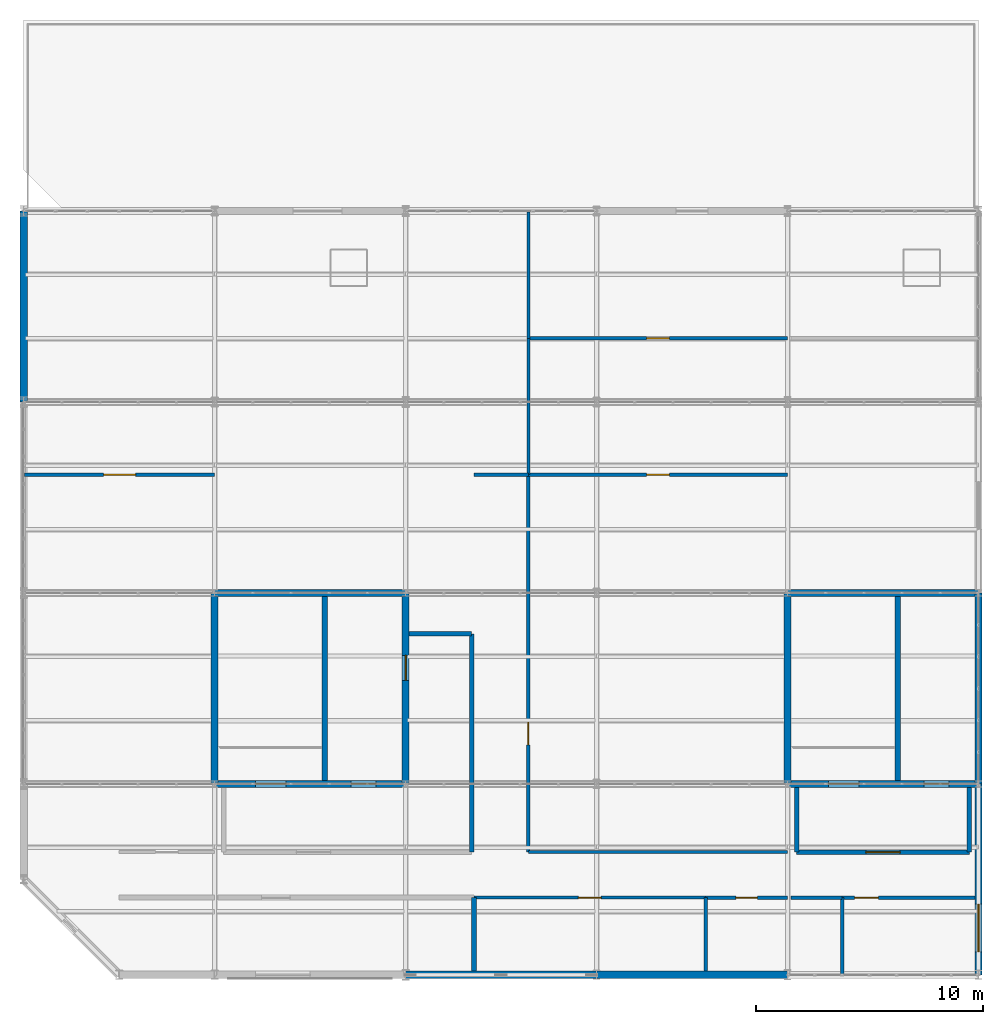
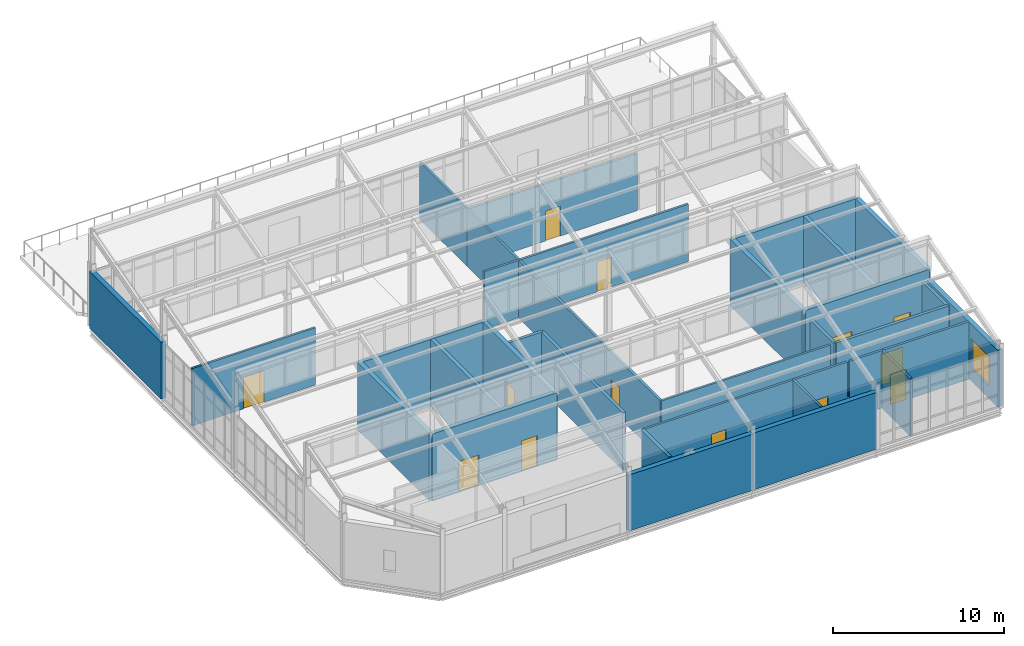
# One storey, part 50 of 53: 34 walls, 13 doors, 1 window, 14 openings.
"""IFC4 building model written with IfcOpenShell, lengths in metres."""

from ifc_helpers import new_model, si_unit, direction, frame, frame_2d, origin, place, context, subcontext, project, spatial, rectangle, extrude, material, layer, layer_set, type_object, element, fill, save


model = new_model("IFC4")

# Units and contexts
model_context = context("Model", 3, precision=1e-05, world=origin(), true_north=direction((0.0, 1.0)))
body_context = subcontext(model_context, "Body", "Model", "MODEL_VIEW")
ifc_project = project(units=[si_unit("LENGTHUNIT", "METRE"), si_unit("AREAUNIT", "SQUARE_METRE"), si_unit("VOLUMEUNIT", "CUBIC_METRE"), si_unit("PLANEANGLEUNIT", "RADIAN"), si_unit("MASSUNIT", "GRAM", prefix="KILO")], contexts=[model_context])

# Site, building, storey
site_placement = place(None, origin())
site = spatial("IfcSite", under=ifc_project, at=site_placement, CompositionType="ELEMENT")
building_placement = place(site_placement, origin())
building = spatial("IfcBuilding", under=site, at=building_placement, Name="Qalvenar Corner Mobility Hub", CompositionType="ELEMENT")
storey_placement = place(building_placement, frame((0.0, 0.0, 26.39990234375)))
storey = spatial("IfcBuildingStorey", under=building, at=storey_placement, Name="L06", CompositionType="ELEMENT", Elevation=26.39990234375)

# Walls
ifc_material_1 = material(Name="Concrete C40/50", Category="concrete")
ifc_layer_1 = layer(ifc_material_1, 0.25)
ifc_layer_set_1 = layer_set([ifc_layer_1], Name="Concrete C40/50")
wall_type_1 = type_object("IfcWallType", Name="WL-CORE250", PredefinedType="SHEAR", material=ifc_layer_set_1)
for number, where, z_axis, x_axis, name in (
    (1, (13.25, 8.550048828125, 0.0), (0.0, 0.0, 1.0), (0.0, 1.0, 0.0), "Core Divider Wall C1-L06"),
    (2, (38.449951171875, 8.550048828125, 0.0), (0.0, 0.0, 1.0), (0.0, 1.0, 0.0), "Core Divider Wall C2-L06"),
):
    element("IfcWall", number, at=place(storey_placement, frame(where, z_axis=z_axis, x_axis=x_axis)), inside=storey, type_object=wall_type_1, Name=name, PredefinedType="SHEAR", context=body_context, shape_type="SweptSolid", body=[
        extrude(rectangle(XDim=8.099853515625, YDim=0.25, at=frame_2d((4.0498046875, 0.0))), origin(), (0.0, 0.0, 1.0), 4.800048828125),
    ])

# Wall, openings, doors
ifc_layer_2 = layer(ifc_material_1, 0.300048828125)
ifc_layer_set_2 = layer_set([ifc_layer_2], Name="Concrete C40/50")
wall_type_2 = type_object("IfcWallType", Name="WL-CORE300", PredefinedType="SHEAR", material=ifc_layer_set_2)
wall_1_placement = place(storey_placement, frame((8.39990234375, 8.39990234375, 0.0), z_axis=(0.0, 0.0, 1.0), x_axis=(1.0, 0.0, 0.0)))
wall_1 = element("IfcWall", 3, at=wall_1_placement, inside=storey, type_object=wall_type_2, Name="Core Shear Wall C1-L06-S", PredefinedType="SHEAR", context=body_context, shape_type="SweptSolid", body=[
    extrude(rectangle(XDim=8.400146484375, YDim=0.300048828125, at=frame_2d((4.2001953125, 0.0))), origin(), (0.0, 0.0, 1.0), 4.800048828125),
])
opening_1_placement = place(wall_1_placement, frame((1.800048828125, 0.0, 0.0)))
opening_1 = element("IfcOpeningElement", 4, at=opening_1_placement, cuts=wall_1, Name="Opening DR-274", PredefinedType="OPENING", context=body_context, shape_type="SweptSolid", body=[
    extrude(rectangle(XDim=1.35009765625, YDim=2.199951171875, at=frame_2d((0.675048828125, 1.10009765625))), frame((0.0, 0.16015625, 0.0), z_axis=(0.0, -1.0, 0.0), x_axis=(1.0, 0.0, 0.0)), (0.0, 0.0, 1.0), 0.320068359375),
])
opening_2_placement = place(wall_1_placement, frame((6.0, 0.0, 0.0)))
opening_2 = element("IfcOpeningElement", 5, at=opening_2_placement, cuts=wall_1, Name="Opening DR-275", PredefinedType="OPENING", context=body_context, shape_type="SweptSolid", body=[
    extrude(rectangle(XDim=1.10009765625, YDim=2.199951171875, at=frame_2d((0.550048828125, 1.10009765625))), frame((0.0, 0.16015625, 0.0), z_axis=(0.0, -1.0, 0.0), x_axis=(1.0, 0.0, 0.0)), (0.0, 0.0, 1.0), 0.320068359375),
])
ifc_material_2 = material(Name="Stainless Steel Lift Landing Door", Category="steel")
door_type_1 = type_object("IfcDoorType", Name="DR-LIFT-110", OperationType="SLIDING_TO_LEFT", PredefinedType="DOOR", material=ifc_material_2)
door_1_placement = place(opening_2_placement, origin())
door_1 = element("IfcDoor", 6, at=door_1_placement, inside=storey, type_object=door_type_1, Name="DR-275 Lift Landing Door LF1-L06", OperationType="SLIDING_TO_LEFT", OverallHeight=2.199951171875, OverallWidth=1.10009765625, PredefinedType="DOOR", context=body_context, shape_type="SweptSolid", body=[
    extrude(rectangle(XDim=1.10009765625, YDim=2.199951171875, at=frame_2d((0.550048828125, 1.10009765625))), frame((0.0, 0.02490234375, 0.0), z_axis=(0.0, -1.0, 0.0), x_axis=(1.0, 0.0, 0.0)), (0.0, 0.0, 1.0), 0.050048828125),
])
fill(opening_2, door_1)
ifc_material_3 = material(Name="Fire-Rated Steel Stair Door FD90", Category="steel")
door_type_2 = type_object("IfcDoorType", Name="DR-STAIR-135", OperationType="NOTDEFINED", PredefinedType="DOOR", material=ifc_material_3)
door_2_placement = place(opening_1_placement, origin())
door_2 = element("IfcDoor", 7, at=door_2_placement, inside=storey, type_object=door_type_2, Name="DR-274 Stair Fire Door ST1-L06", OperationType="SINGLE_SWING_LEFT", OverallHeight=2.199951171875, OverallWidth=1.35009765625, PredefinedType="DOOR", context=body_context, shape_type="SweptSolid", body=[
    extrude(rectangle(XDim=1.35009765625, YDim=2.199951171875, at=frame_2d((0.675048828125, 1.10009765625))), frame((0.0, 0.02490234375, 0.0), z_axis=(0.0, -1.0, 0.0), x_axis=(1.0, 0.0, 0.0)), (0.0, 0.0, 1.0), 0.050048828125),
])
fill(opening_1, door_2)

# Wall, opening, door
wall_2_placement = place(storey_placement, frame((16.800048828125, 8.39990234375, 0.0), z_axis=(0.0, 0.0, 1.0), x_axis=(0.0, 1.0, 0.0)))
wall_2 = element("IfcWall", 8, at=wall_2_placement, inside=storey, type_object=wall_type_2, Name="Core Shear Wall C1-L06-E", PredefinedType="SHEAR", context=body_context, shape_type="SweptSolid", body=[
    extrude(rectangle(XDim=8.400146484375, YDim=0.300048828125, at=frame_2d((4.2001953125, 0.0))), origin(), (0.0, 0.0, 1.0), 4.800048828125),
])
opening_3_placement = place(wall_2_placement, frame((4.550048828125, 0.0, 0.0)))
opening_3 = element("IfcOpeningElement", 9, at=opening_3_placement, cuts=wall_2, Name="Opening DR-276", PredefinedType="OPENING", context=body_context, shape_type="SweptSolid", body=[
    extrude(rectangle(XDim=1.10009765625, YDim=2.199951171875, at=frame_2d((0.550048828125, 1.10009765625))), frame((0.0, 0.16015625, 0.0), z_axis=(0.0, -1.0, 0.0), x_axis=(1.0, 0.0, 0.0)), (0.0, 0.0, 1.0), 0.320068359375),
])
door_3_placement = place(opening_3_placement, origin())
door_3 = element("IfcDoor", 10, at=door_3_placement, inside=storey, type_object=door_type_1, Name="DR-276 Lift Landing Door LP1-L06", OperationType="SLIDING_TO_RIGHT", OverallHeight=2.199951171875, OverallWidth=1.10009765625, PredefinedType="DOOR", context=body_context, shape_type="SweptSolid", body=[
    extrude(rectangle(XDim=1.10009765625, YDim=2.199951171875, at=frame_2d((0.550048828125, 1.10009765625))), frame((0.0, 0.02490234375, 0.0), z_axis=(0.0, -1.0, 0.0), x_axis=(1.0, 0.0, 0.0)), (0.0, 0.0, 1.0), 0.050048828125),
])
fill(opening_3, door_3)

# Walls
for number, where, z_axis, x_axis, name in (
    (11, (16.800048828125, 16.800048828125, 0.0), (0.0, 0.0, 1.0), (-1.0, 0.0, 0.0), "Core Shear Wall C1-L06-N"),
    (12, (8.39990234375, 16.800048828125, 0.0), (0.0, 0.0, 1.0), (0.0, -1.0, 0.0), "Core Shear Wall C1-L06-W"),
):
    element("IfcWall", number, at=place(storey_placement, frame(where, z_axis=z_axis, x_axis=x_axis)), inside=storey, type_object=wall_type_2, Name=name, PredefinedType="SHEAR", context=body_context, shape_type="SweptSolid", body=[
        extrude(rectangle(XDim=8.400146484375, YDim=0.300048828125, at=frame_2d((4.2001953125, 0.0))), origin(), (0.0, 0.0, 1.0), 4.800048828125),
    ])

# Wall, openings, doors
wall_3_placement = place(storey_placement, frame((33.60009765625, 8.39990234375, 0.0), z_axis=(0.0, 0.0, 1.0), x_axis=(1.0, 0.0, 0.0)))
wall_3 = element("IfcWall", 13, at=wall_3_placement, inside=storey, type_object=wall_type_2, Name="Core Shear Wall C2-L06-S", PredefinedType="SHEAR", context=body_context, shape_type="SweptSolid", body=[
    extrude(rectangle(XDim=8.39990234375, YDim=0.300048828125, at=frame_2d((4.199951171875, 0.0))), origin(), (0.0, 0.0, 1.0), 4.800048828125),
])
opening_4_placement = place(wall_3_placement, frame((1.800048828125, 0.0, 0.0)))
opening_4 = element("IfcOpeningElement", 14, at=opening_4_placement, cuts=wall_3, Name="Opening DR-278", PredefinedType="OPENING", context=body_context, shape_type="SweptSolid", body=[
    extrude(rectangle(XDim=1.35009765625, YDim=2.199951171875, at=frame_2d((0.675048828125, 1.10009765625))), frame((0.0, 0.16015625, 0.0), z_axis=(0.0, -1.0, 0.0), x_axis=(1.0, 0.0, 0.0)), (0.0, 0.0, 1.0), 0.320068359375),
])
opening_5_placement = place(wall_3_placement, frame((6.0, 0.0, 0.0)))
opening_5 = element("IfcOpeningElement", 15, at=opening_5_placement, cuts=wall_3, Name="Opening DR-279", PredefinedType="OPENING", context=body_context, shape_type="SweptSolid", body=[
    extrude(rectangle(XDim=1.10009765625, YDim=2.199951171875, at=frame_2d((0.550048828125, 1.10009765625))), frame((0.0, 0.16015625, 0.0), z_axis=(0.0, -1.0, 0.0), x_axis=(1.0, 0.0, 0.0)), (0.0, 0.0, 1.0), 0.320068359375),
])
door_4_placement = place(opening_5_placement, origin())
door_4 = element("IfcDoor", 16, at=door_4_placement, inside=storey, type_object=door_type_1, Name="DR-279 Lift Landing Door LF2-L06", OperationType="SLIDING_TO_LEFT", OverallHeight=2.199951171875, OverallWidth=1.10009765625, PredefinedType="DOOR", context=body_context, shape_type="SweptSolid", body=[
    extrude(rectangle(XDim=1.10009765625, YDim=2.199951171875, at=frame_2d((0.550048828125, 1.10009765625))), frame((0.0, 0.02490234375, 0.0), z_axis=(0.0, -1.0, 0.0), x_axis=(1.0, 0.0, 0.0)), (0.0, 0.0, 1.0), 0.050048828125),
])
fill(opening_5, door_4)
door_5_placement = place(opening_4_placement, origin())
door_5 = element("IfcDoor", 17, at=door_5_placement, inside=storey, type_object=door_type_2, Name="DR-278 Stair Fire Door ST2-L06", OperationType="SINGLE_SWING_RIGHT", OverallHeight=2.199951171875, OverallWidth=1.35009765625, PredefinedType="DOOR", context=body_context, shape_type="SweptSolid", body=[
    extrude(rectangle(XDim=1.35009765625, YDim=2.199951171875, at=frame_2d((0.675048828125, 1.10009765625))), frame((0.0, 0.02490234375, 0.0), z_axis=(0.0, -1.0, 0.0), x_axis=(1.0, 0.0, 0.0)), (0.0, 0.0, 1.0), 0.050048828125),
])
fill(opening_4, door_5)

# Walls
wall_4_placement = place(storey_placement, frame((42.0, 8.39990234375, 0.0), z_axis=(0.0, 0.0, 1.0), x_axis=(0.0, 1.0, 0.0)))
element("IfcWall", 18, at=wall_4_placement, inside=storey, type_object=wall_type_2, Name="Core Shear Wall C2-L06-E", PredefinedType="SHEAR", context=body_context, shape_type="SweptSolid", body=[
    extrude(rectangle(XDim=8.400146484375, YDim=0.300048828125, at=frame_2d((4.2001953125, 0.0))), origin(), (0.0, 0.0, 1.0), 4.800048828125),
])
wall_5_placement = place(storey_placement, frame((42.0, 16.800048828125, 0.0), z_axis=(0.0, 0.0, 1.0), x_axis=(-1.0, 0.0, 0.0)))
element("IfcWall", 19, at=wall_5_placement, inside=storey, type_object=wall_type_2, Name="Core Shear Wall C2-L06-N", PredefinedType="SHEAR", context=body_context, shape_type="SweptSolid", body=[
    extrude(rectangle(XDim=8.39990234375, YDim=0.300048828125, at=frame_2d((4.199951171875, 0.0))), origin(), (0.0, 0.0, 1.0), 4.800048828125),
])
wall_6_placement = place(storey_placement, frame((33.60009765625, 16.800048828125, 0.0), z_axis=(0.0, 0.0, 1.0), x_axis=(0.0, -1.0, 0.0)))
element("IfcWall", 20, at=wall_6_placement, inside=storey, type_object=wall_type_2, Name="Core Shear Wall C2-L06-W", PredefinedType="SHEAR", context=body_context, shape_type="SweptSolid", body=[
    extrude(rectangle(XDim=8.400146484375, YDim=0.300048828125, at=frame_2d((4.2001953125, 0.0))), origin(), (0.0, 0.0, 1.0), 4.800048828125),
])
ifc_material_4 = material(Name="Red Sandstone Ashlar Masonry", Category="masonry")
ifc_layer_3 = layer(ifc_material_4, 0.320068359375)
ifc_layer_set_3 = layer_set([ifc_layer_3], Name="Red Sandstone Ashlar Masonry")
wall_type_3 = type_object("IfcWallType", Name="WL-EXT-SAND320", PredefinedType="STANDARD", material=ifc_layer_set_3)
wall_7_placement = place(storey_placement, frame((16.800048828125, 0.0, 0.0), z_axis=(0.0, 0.0, 1.0), x_axis=(1.0, 0.0, 0.0)))
element("IfcWall", 21, at=wall_7_placement, inside=storey, type_object=wall_type_3, Name="Exterior Facade Wall EW-BR-CW-V3-L06-S2", PredefinedType="STANDARD", context=body_context, shape_type="SweptSolid", body=[
    extrude(rectangle(XDim=8.39990234375, YDim=0.320068359375, at=frame_2d((4.199951171875, 0.0))), origin(), (0.0, 0.0, 1.0), 4.010009765625),
])
for number, where, z_axis, x_axis, name in (
    (22, (25.199951171875, 0.0, 0.0), (0.0, 0.0, 1.0), (1.0, 0.0, 0.0), "Exterior Facade Wall EW-V3-L06-069"),
    (23, (0.0, 33.60009765625, 0.0), (0.0, 0.0, 1.0), (0.0, -1.0, 0.0), "Exterior Facade Wall EW-V3-L06-071"),
):
    element("IfcWall", number, at=place(storey_placement, frame(where, z_axis=z_axis, x_axis=x_axis)), inside=storey, type_object=wall_type_3, Name=name, PredefinedType="STANDARD", context=body_context, shape_type="SweptSolid", body=[
        extrude(rectangle(XDim=8.400146484375, YDim=0.320068359375, at=frame_2d((4.2001953125, 0.0))), origin(), (0.0, 0.0, 1.0), 4.06005859375),
    ])

# Wall, opening, window
wall_8_placement = place(storey_placement, frame((42.0, 0.0, 0.0), z_axis=(0.0, 0.0, 1.0), x_axis=(0.0, 1.0, 0.0)))
wall_8 = element("IfcWall", 24, at=wall_8_placement, inside=storey, type_object=wall_type_3, Name="Exterior Facade Wall EW-V3-L06-074", PredefinedType="STANDARD", context=body_context, shape_type="SweptSolid", body=[
    extrude(rectangle(XDim=8.39990234375, YDim=0.320068359375, at=frame_2d((4.199951171875, 0.0))), origin(), (0.0, 0.0, 1.0), 4.06005859375),
])
opening_6_placement = place(wall_8_placement, frame((1.011962890625, 0.0, 0.89990234375)))
opening_6 = element("IfcOpeningElement", 25, at=opening_6_placement, cuts=wall_8, Name="Opening W-12", PredefinedType="OPENING", context=body_context, shape_type="SweptSolid", body=[
    extrude(rectangle(XDim=2.10009765625, YDim=2.10009765625, at=frame_2d((1.050048828125, 1.050048828125))), frame((0.0, 0.169921875, 0.0), z_axis=(0.0, -1.0, 0.0), x_axis=(1.0, 0.0, 0.0)), (0.0, 0.0, 1.0), 0.340087890625),
])
ifc_material_5 = material(Name="Solar-Control Double-Glazed Bronze Window", Category="glass")
window_type = type_object("IfcWindowType", Name="WN-CON-210X210", PartitioningType="DOUBLE_PANEL_VERTICAL", PredefinedType="WINDOW", material=ifc_material_5)
window_placement = place(opening_6_placement, origin())
window = element("IfcWindow", 26, at=window_placement, inside=storey, type_object=window_type, Name="Facade Window EW-V3-L06-074-W1", OverallHeight=2.10009765625, OverallWidth=2.10009765625, PartitioningType="SINGLE_PANEL", PredefinedType="WINDOW", context=body_context, shape_type="SweptSolid", body=[
    extrude(rectangle(XDim=2.10009765625, YDim=2.10009765625, at=frame_2d((1.050048828125, 1.050048828125))), frame((0.0, 0.030029296875, 0.0), z_axis=(0.0, -1.0, 0.0), x_axis=(1.0, 0.0, 0.0)), (0.0, 0.0, 1.0), 0.06005859375),
])
fill(opening_6, window)

# Wall
ifc_material_6 = material(Name="Concrete Blockwork Masonry", Category="masonry")
ifc_layer_4 = layer(ifc_material_6, 0.219970703125)
ifc_layer_set_4 = layer_set([ifc_layer_4], Name="Concrete Blockwork Masonry")
wall_type_4 = type_object("IfcWallType", Name="WL-FIRE220", PredefinedType="PARTITIONING", material=ifc_layer_set_4)
wall_9_placement = place(storey_placement, frame((19.800048828125, 0.1650390625, 0.0), z_axis=(0.0, 0.0, 1.0), x_axis=(0.0, 1.0, 0.0)))
element("IfcWall", 27, at=wall_9_placement, inside=storey, type_object=wall_type_4, Name="Interior Partition PRT-L06-014", PredefinedType="PARTITIONING", context=body_context, shape_type="SweptSolid", body=[
    extrude(rectangle(XDim=3.23486328125, YDim=0.219970703125, at=frame_2d((1.617431640625, 0.0))), origin(), (0.0, 0.0, 1.0), 4.10009765625),
])

# Wall, opening, door
ifc_material_7 = material(Name="Acoustic Gypsum Stud Partition", Category="masonry")
ifc_layer_5 = layer(ifc_material_7, 0.139892578125)
ifc_layer_set_5 = layer_set([ifc_layer_5], Name="Acoustic Gypsum Stud Partition")
wall_type_5 = type_object("IfcWallType", Name="WL-INT140", PredefinedType="PARTITIONING", material=ifc_layer_set_5)
wall_10_placement = place(storey_placement, frame((19.800048828125, 3.39990234375, 0.0), z_axis=(0.0, 0.0, 1.0), x_axis=(1.0, 0.0, 0.0)))
wall_10 = element("IfcWall", 28, at=wall_10_placement, inside=storey, type_object=wall_type_5, Name="Interior Partition PRT-L06-003", PredefinedType="PARTITIONING", context=body_context, shape_type="SweptSolid", body=[
    extrude(rectangle(XDim=10.199951171875, YDim=0.139892578125, at=frame_2d((5.10009765625, 0.0))), origin(), (0.0, 0.0, 1.0), 4.10009765625),
])
opening_7_placement = place(wall_10_placement, frame((4.60009765625, 0.0, 0.0)))
opening_7 = element("IfcOpeningElement", 29, at=opening_7_placement, cuts=wall_10, Name="Opening DR-282", PredefinedType="OPENING", context=body_context, shape_type="SweptSolid", body=[
    extrude(rectangle(XDim=1.0, YDim=2.14990234375, at=frame_2d((0.5, 1.074951171875))), frame((0.0, 0.080078125, 0.0), z_axis=(0.0, -1.0, 0.0), x_axis=(1.0, 0.0, 0.0)), (0.0, 0.0, 1.0), 0.159912109375),
])
ifc_material_8 = material(Name="Hardwood Teak Office Door FD30", Category="wood")
door_type_3 = type_object("IfcDoorType", Name="DR-INT-OFF100", OperationType="NOTDEFINED", PredefinedType="DOOR", material=ifc_material_8)
door_6_placement = place(opening_7_placement, origin())
door_6 = element("IfcDoor", 30, at=door_6_placement, inside=storey, type_object=door_type_3, Name="DR-282 Sports Refreshment and Hydration Cafe Door", OperationType="SINGLE_SWING_RIGHT", OverallHeight=2.14990234375, OverallWidth=1.0, PredefinedType="DOOR", context=body_context, shape_type="SweptSolid", body=[
    extrude(rectangle(XDim=1.0, YDim=2.14990234375, at=frame_2d((0.5, 1.074951171875))), frame((0.0, 0.02490234375, 0.0), z_axis=(0.0, -1.0, 0.0), x_axis=(1.0, 0.0, 0.0)), (0.0, 0.0, 1.0), 0.050048828125),
])
fill(opening_7, door_6)

# Wall
wall_11_placement = place(storey_placement, frame((22.199951171875, 5.39990234375, 0.0), z_axis=(0.0, 0.0, 1.0), x_axis=(1.0, 0.0, 0.0)))
element("IfcWall", 31, at=wall_11_placement, inside=storey, type_object=wall_type_5, Name="Interior Partition PRT-L06-008", PredefinedType="PARTITIONING", context=body_context, shape_type="SweptSolid", body=[
    extrude(rectangle(XDim=11.400146484375, YDim=0.139892578125, at=frame_2d((5.7001953125, 0.0))), origin(), (0.0, 0.0, 1.0), 4.10009765625),
])

# Wall, opening, door
wall_12_placement = place(storey_placement, frame((0.044921875, 22.0, 0.0), z_axis=(0.0, 0.0, 1.0), x_axis=(1.0, 0.0, 0.0)))
wall_12 = element("IfcWall", 32, at=wall_12_placement, inside=storey, type_object=wall_type_5, Name="Interior Partition PRT-L06-009", PredefinedType="PARTITIONING", context=body_context, shape_type="SweptSolid", body=[
    extrude(rectangle(XDim=8.35498046875, YDim=0.139892578125, at=frame_2d((4.177490234375, 0.0))), origin(), (0.0, 0.0, 1.0), 4.10009765625),
])
opening_8_placement = place(wall_12_placement, frame((3.47802734375, 0.0, 0.0)))
opening_8 = element("IfcOpeningElement", 33, at=opening_8_placement, cuts=wall_12, Name="Opening DR-286", PredefinedType="OPENING", context=body_context, shape_type="SweptSolid", body=[
    extrude(rectangle(XDim=1.39990234375, YDim=2.25, at=frame_2d((0.699951171875, 1.125))), frame((0.0, 0.080078125, 0.0), z_axis=(0.0, -1.0, 0.0), x_axis=(1.0, 0.0, 0.0)), (0.0, 0.0, 1.0), 0.159912109375),
])
ifc_material_9 = material(Name="Hardwood Teak Acoustic Double Door", Category="wood")
door_type_4 = type_object("IfcDoorType", Name="DR-INT-PUB140", OperationType="DOUBLE_DOOR_SINGLE_SWING", PredefinedType="DOOR", material=ifc_material_9)
door_7_placement = place(opening_8_placement, origin())
door_7 = element("IfcDoor", 34, at=door_7_placement, inside=storey, type_object=door_type_4, Name="DR-286 Rooftop Multi-Purpose Sports Court West  Door", OperationType="DOUBLE_DOOR_SINGLE_SWING", OverallHeight=2.25, OverallWidth=1.39990234375, PredefinedType="DOOR", context=body_context, shape_type="SweptSolid", body=[
    extrude(rectangle(XDim=1.39990234375, YDim=2.25, at=frame_2d((0.699951171875, 1.125))), frame((0.0, 0.02490234375, 0.0), z_axis=(0.0, -1.0, 0.0), x_axis=(1.0, 0.0, 0.0)), (0.0, 0.0, 1.0), 0.050048828125),
])
fill(opening_8, door_7)

# Wall
wall_13_placement = place(storey_placement, frame((19.800048828125, 22.0, 0.0), z_axis=(0.0, 0.0, 1.0), x_axis=(1.0, 0.0, 0.0)))
element("IfcWall", 35, at=wall_13_placement, inside=storey, type_object=wall_type_5, Name="Interior Partition PRT-L06-010", PredefinedType="PARTITIONING", context=body_context, shape_type="SweptSolid", body=[
    extrude(rectangle(XDim=2.39990234375, YDim=0.139892578125, at=frame_2d((1.199951171875, 0.0))), origin(), (0.0, 0.0, 1.0), 4.10009765625),
])

# Wall, opening, door
wall_14_placement = place(storey_placement, frame((22.199951171875, 22.0, 0.0), z_axis=(0.0, 0.0, 1.0), x_axis=(1.0, 0.0, 0.0)))
wall_14 = element("IfcWall", 36, at=wall_14_placement, inside=storey, type_object=wall_type_5, Name="Interior Partition PRT-L06-011", PredefinedType="PARTITIONING", context=body_context, shape_type="SweptSolid", body=[
    extrude(rectangle(XDim=11.400146484375, YDim=0.139892578125, at=frame_2d((5.7001953125, 0.0))), origin(), (0.0, 0.0, 1.0), 4.10009765625),
])
opening_9_placement = place(wall_14_placement, frame((5.199951171875, 0.0, 0.0)))
opening_9 = element("IfcOpeningElement", 37, at=opening_9_placement, cuts=wall_14, Name="Opening DR-287", PredefinedType="OPENING", context=body_context, shape_type="SweptSolid", body=[
    extrude(rectangle(XDim=1.0, YDim=2.14990234375, at=frame_2d((0.5, 1.074951171875))), frame((0.0, 0.080078125, 0.0), z_axis=(0.0, -1.0, 0.0), x_axis=(1.0, 0.0, 0.0)), (0.0, 0.0, 1.0), 0.159912109375),
])
door_8_placement = place(opening_9_placement, origin())
door_8 = element("IfcDoor", 38, at=door_8_placement, inside=storey, type_object=door_type_3, Name="DR-287 Rooftop Futsal and Badminton Court East  Door", OperationType="SINGLE_SWING_RIGHT", OverallHeight=2.14990234375, OverallWidth=1.0, PredefinedType="DOOR", context=body_context, shape_type="SweptSolid", body=[
    extrude(rectangle(XDim=1.0, YDim=2.14990234375, at=frame_2d((0.5, 1.074951171875))), frame((0.0, 0.02490234375, 0.0), z_axis=(0.0, -1.0, 0.0), x_axis=(1.0, 0.0, 0.0)), (0.0, 0.0, 1.0), 0.050048828125),
])
fill(opening_9, door_8)

wall_15_placement = place(storey_placement, frame((22.199951171875, 28.0, 0.0), z_axis=(0.0, 0.0, 1.0), x_axis=(1.0, 0.0, 0.0)))
wall_15 = element("IfcWall", 39, at=wall_15_placement, inside=storey, type_object=wall_type_5, Name="Interior Partition PRT-L06-012", PredefinedType="PARTITIONING", context=body_context, shape_type="SweptSolid", body=[
    extrude(rectangle(XDim=11.400146484375, YDim=0.139892578125, at=frame_2d((5.7001953125, 0.0))), origin(), (0.0, 0.0, 1.0), 4.10009765625),
])
opening_10_placement = place(wall_15_placement, frame((5.199951171875, 0.0, 0.0)))
opening_10 = element("IfcOpeningElement", 40, at=opening_10_placement, cuts=wall_15, Name="Opening DR-288", PredefinedType="OPENING", context=body_context, shape_type="SweptSolid", body=[
    extrude(rectangle(XDim=1.0, YDim=2.14990234375, at=frame_2d((0.5, 1.074951171875))), frame((0.0, 0.080078125, 0.0), z_axis=(0.0, -1.0, 0.0), x_axis=(1.0, 0.0, 0.0)), (0.0, 0.0, 1.0), 0.159912109375),
])
door_9_placement = place(opening_10_placement, origin())
door_9 = element("IfcDoor", 41, at=door_9_placement, inside=storey, type_object=door_type_3, Name="DR-288 Rooftop Sports Viewing Lounge Door", OperationType="SINGLE_SWING_LEFT", OverallHeight=2.14990234375, OverallWidth=1.0, PredefinedType="DOOR", context=body_context, shape_type="SweptSolid", body=[
    extrude(rectangle(XDim=1.0, YDim=2.14990234375, at=frame_2d((0.5, 1.074951171875))), frame((0.0, 0.02490234375, 0.0), z_axis=(0.0, -1.0, 0.0), x_axis=(1.0, 0.0, 0.0)), (0.0, 0.0, 1.0), 0.050048828125),
])
fill(opening_10, door_9)

# Walls
wall_16_placement = place(storey_placement, frame((22.199951171875, 22.0, 0.0), z_axis=(0.0, 0.0, 1.0), x_axis=(0.0, 1.0, 0.0)))
element("IfcWall", 42, at=wall_16_placement, inside=storey, type_object=wall_type_5, Name="Interior Partition PRT-L06-016", PredefinedType="PARTITIONING", context=body_context, shape_type="SweptSolid", body=[
    extrude(rectangle(XDim=6.0, YDim=0.139892578125, at=frame_2d((3.0, 0.0))), origin(), (0.0, 0.0, 1.0), 4.10009765625),
])
wall_17_placement = place(storey_placement, frame((22.199951171875, 28.0, 0.0), z_axis=(0.0, 0.0, 1.0), x_axis=(0.0, 1.0, 0.0)))
element("IfcWall", 43, at=wall_17_placement, inside=storey, type_object=wall_type_5, Name="Interior Partition PRT-L06-017", PredefinedType="PARTITIONING", context=body_context, shape_type="SweptSolid", body=[
    extrude(rectangle(XDim=5.554931640625, YDim=0.139892578125, at=frame_2d((2.77734375, 0.0))), origin(), (0.0, 0.0, 1.0), 4.10009765625),
])

# Wall, opening, door
ifc_material_10 = material(Name="Plastered Clay Brick Partition", Category="masonry")
ifc_layer_6 = layer(ifc_material_10, 0.159912109375)
ifc_layer_set_6 = layer_set([ifc_layer_6], Name="Plastered Clay Brick Partition")
wall_type_6 = type_object("IfcWallType", Name="WL-INT160", PredefinedType="PARTITIONING", material=ifc_layer_set_6)
wall_18_placement = place(storey_placement, frame((22.199951171875, 5.39990234375, 0.0), z_axis=(0.0, 0.0, 1.0), x_axis=(0.0, 1.0, 0.0)))
wall_18 = element("IfcWall", 44, at=wall_18_placement, inside=storey, type_object=wall_type_6, Name="Interior Partition PRT-L06-015", PredefinedType="PARTITIONING", context=body_context, shape_type="SweptSolid", body=[
    extrude(rectangle(XDim=16.60009765625, YDim=0.159912109375, at=frame_2d((8.300048828125, 0.0))), origin(), (0.0, 0.0, 1.0), 4.10009765625),
])
opening_11_placement = place(wall_18_placement, frame((4.719970703125, 0.0, 0.0)))
opening_11 = element("IfcOpeningElement", 45, at=opening_11_placement, cuts=wall_18, Name="Opening DR-289", PredefinedType="OPENING", context=body_context, shape_type="SweptSolid", body=[
    extrude(rectangle(XDim=1.0, YDim=2.14990234375, at=frame_2d((0.5, 1.074951171875))), frame((0.0, 0.08984375, 0.0), z_axis=(0.0, -1.0, 0.0), x_axis=(1.0, 0.0, 0.0)), (0.0, 0.0, 1.0), 0.179931640625),
])
door_10_placement = place(opening_11_placement, origin())
door_10 = element("IfcDoor", 46, at=door_10_placement, inside=storey, type_object=door_type_3, Name="DR-289 Coach and Referee Office Door", OperationType="SINGLE_SWING_LEFT", OverallHeight=2.14990234375, OverallWidth=1.0, PredefinedType="DOOR", context=body_context, shape_type="SweptSolid", body=[
    extrude(rectangle(XDim=1.0, YDim=2.14990234375, at=frame_2d((0.5, 1.074951171875))), frame((0.0, 0.02490234375, 0.0), z_axis=(0.0, -1.0, 0.0), x_axis=(1.0, 0.0, 0.0)), (0.0, 0.0, 1.0), 0.050048828125),
])
fill(opening_11, door_10)

# Walls
ifc_material_11 = material(Name="Concrete Blockwork Masonry", Category="masonry")
ifc_layer_7 = layer(ifc_material_11, 0.199951171875)
ifc_layer_set_7 = layer_set([ifc_layer_7], Name="Concrete Blockwork Masonry")
wall_type_7 = type_object("IfcWallType", Name="WL-LOBBY200", PredefinedType="PARTITIONING", material=ifc_layer_set_7)
wall_19_placement = place(storey_placement, frame((19.699951171875, 5.39990234375, 0.0), z_axis=(0.0, 0.0, 1.0), x_axis=(0.0, 1.0, 0.0)))
element("IfcWall", 47, at=wall_19_placement, inside=storey, type_object=wall_type_7, Name="Interior Partition WL-LOB-C1-L06-E", PredefinedType="PARTITIONING", context=body_context, shape_type="SweptSolid", body=[
    extrude(rectangle(XDim=9.60009765625, YDim=0.199951171875, at=frame_2d((4.800048828125, 0.0))), origin(), (0.0, 0.0, 1.0), 4.1201171875),
])
wall_20_placement = place(storey_placement, frame((16.9599609375, 15.0, 0.0), z_axis=(0.0, 0.0, 1.0), x_axis=(1.0, 0.0, 0.0)))
element("IfcWall", 48, at=wall_20_placement, inside=storey, type_object=wall_type_7, Name="Interior Partition WL-LOB-C1-L06-N", PredefinedType="PARTITIONING", context=body_context, shape_type="SweptSolid", body=[
    extrude(rectangle(XDim=2.739990234375, YDim=0.199951171875, at=frame_2d((1.3701171875, 0.0))), origin(), (0.0, 0.0, 1.0), 4.1201171875),
])
for number, where, z_axis, x_axis, name in (
    (49, (34.0, 5.39990234375, 0.0), (0.0, 0.0, 1.0), (0.0, 1.0, 0.0), "Interior Partition WL-LOB-C2-L06-W"),
    (50, (41.60009765625, 5.39990234375, 0.0), (0.0, 0.0, 1.0), (0.0, 1.0, 0.0), "Interior Partition WL-LOB-C2-L06-E"),
):
    element("IfcWall", number, at=place(storey_placement, frame(where, z_axis=z_axis, x_axis=x_axis)), inside=storey, type_object=wall_type_7, Name=name, PredefinedType="PARTITIONING", context=body_context, shape_type="SweptSolid", body=[
        extrude(rectangle(XDim=2.85009765625, YDim=0.199951171875, at=frame_2d((1.425048828125, 0.0))), origin(), (0.0, 0.0, 1.0), 4.06005859375),
    ])

# Wall, opening, door
wall_21_placement = place(storey_placement, frame((34.0, 5.39990234375, 0.0), z_axis=(0.0, 0.0, 1.0), x_axis=(1.0, 0.0, 0.0)))
wall_21 = element("IfcWall", 51, at=wall_21_placement, inside=storey, type_object=wall_type_7, Name="Interior Partition WL-LOB-C2-L06-S", PredefinedType="PARTITIONING", context=body_context, shape_type="SweptSolid", body=[
    extrude(rectangle(XDim=7.60009765625, YDim=0.199951171875, at=frame_2d((3.800048828125, 0.0))), origin(), (0.0, 0.0, 1.0), 4.1201171875),
])
opening_12_placement = place(wall_21_placement, frame((3.050048828125, 0.0, 0.0)))
opening_12 = element("IfcOpeningElement", 52, at=opening_12_placement, cuts=wall_21, Name="Opening DR-280", PredefinedType="OPENING", context=body_context, shape_type="SweptSolid", body=[
    extrude(rectangle(XDim=1.5, YDim=2.199951171875, at=frame_2d((0.75, 1.10009765625))), frame((0.0, 0.10986328125, 0.0), z_axis=(0.0, -1.0, 0.0), x_axis=(1.0, 0.0, 0.0)), (0.0, 0.0, 1.0), 0.219970703125),
])
ifc_material_12 = material(Name="Firefighting Lobby Smoke-Control Door FD60", Category="steel")
door_type_5 = type_object("IfcDoorType", Name="DR-FFLOB-150", OperationType="DOUBLE_DOOR_SINGLE_SWING", PredefinedType="DOOR", material=ifc_material_12)
door_11_placement = place(opening_12_placement, origin())
door_11 = element("IfcDoor", 53, at=door_11_placement, inside=storey, type_object=door_type_5, Name="DR-280 Lift Lobby Smoke Door C2-L06", OperationType="DOUBLE_DOOR_SINGLE_SWING", OverallHeight=2.199951171875, OverallWidth=1.5, PredefinedType="DOOR", context=body_context, shape_type="SweptSolid", body=[
    extrude(rectangle(XDim=1.5, YDim=2.199951171875, at=frame_2d((0.75, 1.10009765625))), frame((0.0, 0.02490234375, 0.0), z_axis=(0.0, -1.0, 0.0), x_axis=(1.0, 0.0, 0.0)), (0.0, 0.0, 1.0), 0.050048828125),
])
fill(opening_12, door_11)

ifc_material_13 = material(Name="Ceramic-Tiled Moisture-Resistant Partition", Category="masonry")
ifc_layer_8 = layer(ifc_material_13, 0.14990234375)
ifc_layer_set_8 = layer_set([ifc_layer_8], Name="Ceramic-Tiled Moisture-Resistant Partition")
wall_type_8 = type_object("IfcWallType", Name="WL-WET150", PredefinedType="PARTITIONING", material=ifc_layer_set_8)
wall_22_placement = place(storey_placement, frame((30.0, 3.39990234375, 0.0), z_axis=(0.0, 0.0, 1.0), x_axis=(1.0, 0.0, 0.0)))
wall_22 = element("IfcWall", 54, at=wall_22_placement, inside=storey, type_object=wall_type_8, Name="Interior Partition PRT-L06-004", PredefinedType="PARTITIONING", context=body_context, shape_type="SweptSolid", body=[
    extrude(rectangle(XDim=3.60009765625, YDim=0.14990234375, at=frame_2d((1.800048828125, 0.0))), origin(), (0.0, 0.0, 1.0), 4.10009765625),
])
opening_13_placement = place(wall_22_placement, frame((1.324951171875, 0.0, 0.0)))
opening_13 = element("IfcOpeningElement", 55, at=opening_13_placement, cuts=wall_22, Name="Opening DR-283", PredefinedType="OPENING", context=body_context, shape_type="SweptSolid", body=[
    extrude(rectangle(XDim=0.949951171875, YDim=2.10009765625, at=frame_2d((0.47509765625, 1.050048828125))), frame((0.0, 0.0849609375, 0.0), z_axis=(0.0, -1.0, 0.0), x_axis=(1.0, 0.0, 0.0)), (0.0, 0.0, 1.0), 0.169921875),
])
ifc_material_14 = material(Name="Moisture-Resistant Laminate WC Door", Category="wood")
door_type_6 = type_object("IfcDoorType", Name="DR-INT-WC095", OperationType="NOTDEFINED", PredefinedType="DOOR", material=ifc_material_14)
door_12_placement = place(opening_13_placement, origin())
door_12 = element("IfcDoor", 56, at=door_12_placement, inside=storey, type_object=door_type_6, Name="DR-283 Sixth Floor Public Toilets Door", OperationType="SINGLE_SWING_LEFT", OverallHeight=2.10009765625, OverallWidth=0.949951171875, PredefinedType="DOOR", context=body_context, shape_type="SweptSolid", body=[
    extrude(rectangle(XDim=0.949951171875, YDim=2.10009765625, at=frame_2d((0.47509765625, 1.050048828125))), frame((0.0, 0.02490234375, 0.0), z_axis=(0.0, -1.0, 0.0), x_axis=(1.0, 0.0, 0.0)), (0.0, 0.0, 1.0), 0.050048828125),
])
fill(opening_13, door_12)

# Wall
wall_23_placement = place(storey_placement, frame((33.75, 3.39990234375, 0.0), z_axis=(0.0, 0.0, 1.0), x_axis=(1.0, 0.0, 0.0)))
element("IfcWall", 57, at=wall_23_placement, inside=storey, type_object=wall_type_8, Name="Interior Partition PRT-L06-005", PredefinedType="PARTITIONING", context=body_context, shape_type="SweptSolid", body=[
    extrude(rectangle(XDim=2.25, YDim=0.14990234375, at=frame_2d((1.125, 0.0))), origin(), (0.0, 0.0, 1.0), 4.10009765625),
])

# Wall, opening, door
wall_24_placement = place(storey_placement, frame((36.0, 3.39990234375, 0.0), z_axis=(0.0, 0.0, 1.0), x_axis=(1.0, 0.0, 0.0)))
wall_24 = element("IfcWall", 58, at=wall_24_placement, inside=storey, type_object=wall_type_8, Name="Interior Partition PRT-L06-006", PredefinedType="PARTITIONING", context=body_context, shape_type="SweptSolid", body=[
    extrude(rectangle(XDim=5.8349609375, YDim=0.14990234375, at=frame_2d((2.91748046875, 0.0))), origin(), (0.0, 0.0, 1.0), 4.10009765625),
])
opening_14_placement = place(wall_24_placement, frame((0.550048828125, 0.0, 0.0)))
opening_14 = element("IfcOpeningElement", 59, at=opening_14_placement, cuts=wall_24, Name="Opening DR-284", PredefinedType="OPENING", context=body_context, shape_type="SweptSolid", body=[
    extrude(rectangle(XDim=1.050048828125, YDim=2.14990234375, at=frame_2d((0.52490234375, 1.074951171875))), frame((0.0, 0.0849609375, 0.0), z_axis=(0.0, -1.0, 0.0), x_axis=(1.0, 0.0, 0.0)), (0.0, 0.0, 1.0), 0.169921875),
])
ifc_material_15 = material(Name="Accessible Wheelchair WC Door", Category="wood")
door_type_7 = type_object("IfcDoorType", Name="DR-INT-AWC105", OperationType="NOTDEFINED", PredefinedType="DOOR", material=ifc_material_15)
door_13_placement = place(opening_14_placement, origin())
door_13 = element("IfcDoor", 60, at=door_13_placement, inside=storey, type_object=door_type_7, Name="DR-284 Sixth Floor Accessible WC Door", OperationType="SINGLE_SWING_RIGHT", OverallHeight=2.14990234375, OverallWidth=1.050048828125, PredefinedType="DOOR", context=body_context, shape_type="SweptSolid", body=[
    extrude(rectangle(XDim=1.050048828125, YDim=2.14990234375, at=frame_2d((0.52490234375, 1.074951171875))), frame((0.0, 0.02490234375, 0.0), z_axis=(0.0, -1.0, 0.0), x_axis=(1.0, 0.0, 0.0)), (0.0, 0.0, 1.0), 0.050048828125),
])
fill(opening_14, door_13)

# Walls
wall_25_placement = place(storey_placement, frame((30.0, 0.1650390625, 0.0), z_axis=(0.0, 0.0, 1.0), x_axis=(0.0, 1.0, 0.0)))
element("IfcWall", 61, at=wall_25_placement, inside=storey, type_object=wall_type_8, Name="Interior Partition PRT-L06-018", PredefinedType="PARTITIONING", context=body_context, shape_type="SweptSolid", body=[
    extrude(rectangle(XDim=3.23486328125, YDim=0.14990234375, at=frame_2d((1.617431640625, 0.0))), origin(), (0.0, 0.0, 1.0), 4.10009765625),
])
wall_26_placement = place(storey_placement, frame((36.0, 0.044921875, 0.0), z_axis=(0.0, 0.0, 1.0), x_axis=(0.0, 1.0, 0.0)))
element("IfcWall", 62, at=wall_26_placement, inside=storey, type_object=wall_type_8, Name="Interior Partition PRT-L06-019", PredefinedType="PARTITIONING", context=body_context, shape_type="SweptSolid", body=[
    extrude(rectangle(XDim=3.35498046875, YDim=0.14990234375, at=frame_2d((1.677490234375, 0.0))), origin(), (0.0, 0.0, 1.0), 4.10009765625),
])

save(model, "model.ifc")
